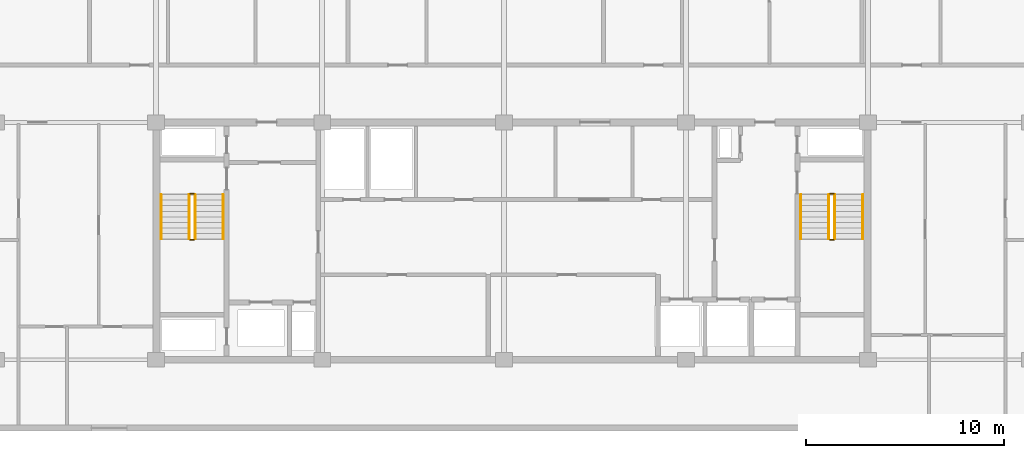
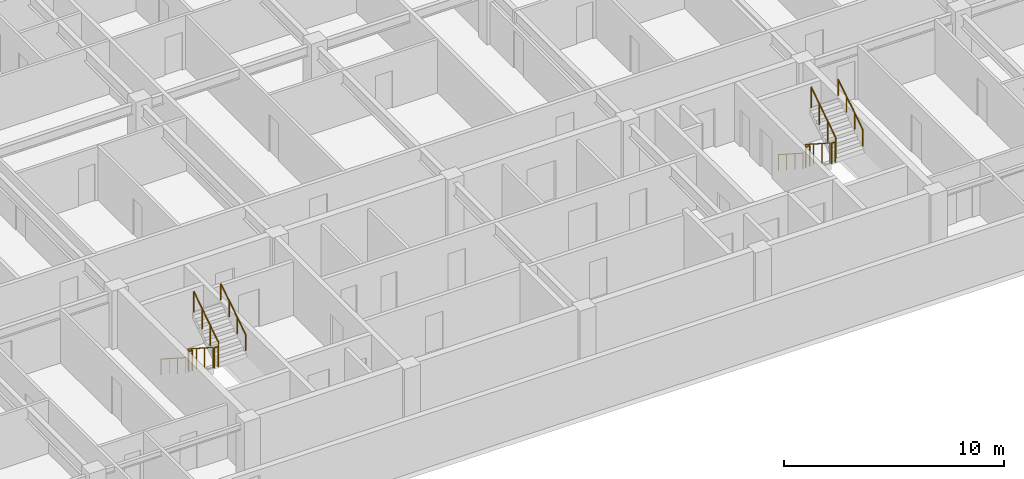
# One storey, part 41 of 42: 12 railings.
"""IFC4 building model written with IfcOpenShell, lengths in metres."""

from ifc_helpers import new_model, si_unit, direction, frame, origin, origin_2d, place, context, subcontext, project, spatial, circle, extrude, material, type_object, element, save


model = new_model("IFC4")

# Units and contexts
model_context = context("Model", 3, precision=1e-05, world=origin(), true_north=direction((0.0, 1.0)))
body_context = subcontext(model_context, "Body", "Model", "MODEL_VIEW")
ifc_project = project(units=[si_unit("LENGTHUNIT", "METRE"), si_unit("AREAUNIT", "SQUARE_METRE"), si_unit("VOLUMEUNIT", "CUBIC_METRE"), si_unit("PLANEANGLEUNIT", "RADIAN"), si_unit("MASSUNIT", "GRAM", prefix="KILO")], contexts=[model_context])

# Site, building, storey
site_placement = place(None, origin())
site = spatial("IfcSite", under=ifc_project, at=site_placement, CompositionType="ELEMENT")
building_placement = place(site_placement, origin())
building = spatial("IfcBuilding", under=site, at=building_placement, Name="Korimba Cascade Residences", CompositionType="ELEMENT")
storey_placement = place(building_placement, frame((0.0, 0.0, 207.60009765625)))
storey = spatial("IfcBuildingStorey", under=building, at=storey_placement, Name="L60", CompositionType="ELEMENT", Elevation=207.60009765625)

# Railings
ifc_material_1 = material(Name="Painted Steel Stairwell Guardrail", Category="steel")
railing_type_1 = type_object("IfcRailingType", Name="RLG-ST-GD1150", PredefinedType="GUARDRAIL", material=ifc_material_1)
railing_1_placement = place(storey_placement, frame((77.77001953125, 63.550048828125, 0.180419921875)))
element("IfcRailing", 1, at=railing_1_placement, inside=storey, type_object=railing_type_1, Name="L60 ST-W1 stair guard 1", PredefinedType="GUARDRAIL", context=body_context, shape_type="SweptSolid", body=[
    extrude(circle(Radius=0.02392578125, at=origin_2d()), frame((0.0, 0.0, 1.1259765625), z_axis=(0.0, -0.840394893359, 0.541974559565), x_axis=(1.0, 0.0, 0.0)), (0.0, 0.0, 1.0), 2.665283203125),
    extrude(circle(Radius=0.02099609375, at=origin_2d()), origin(), (0.0, 0.0, 1.0), 1.101806640625),
    extrude(circle(Radius=0.02099609375, at=origin_2d()), frame((0.0, -0.74658203125, 0.4814453125)), (0.0, 0.0, 1.0), 1.101806640625),
    extrude(circle(Radius=0.02099609375, at=origin_2d()), frame((0.0, -1.493408203125, 0.963134765625)), (0.0, 0.0, 1.0), 1.101806640625),
    extrude(circle(Radius=0.02099609375, at=origin_2d()), frame((0.0, -2.239990234375, 1.444580078125)), (0.0, 0.0, 1.0), 1.101806640625),
])
railing_2_placement = place(storey_placement, frame((77.820068359375, 61.260009765625, 1.625)))
element("IfcRailing", 2, at=railing_2_placement, inside=storey, type_object=railing_type_1, Name="L60 ST-W1 stair guard 2", PredefinedType="GUARDRAIL", context=body_context, shape_type="SweptSolid", body=[
    extrude(circle(Radius=0.02392578125, at=origin_2d()), frame((0.0, 0.0, 1.1259765625), z_axis=(1.0, 0.0, 0.0), x_axis=(0.0, 1.0, 0.0)), (0.0, 0.0, 1.0), 0.199951171875),
    extrude(circle(Radius=0.02099609375, at=origin_2d()), origin(), (0.0, 0.0, 1.0), 1.101806640625),
    extrude(circle(Radius=0.02099609375, at=origin_2d()), frame((0.199951171875, 0.0, 0.0)), (0.0, 0.0, 1.0), 1.101806640625),
])
railing_3_placement = place(storey_placement, frame((78.070068359375, 61.31005859375, 1.805419921875)))
element("IfcRailing", 3, at=railing_3_placement, inside=storey, type_object=railing_type_1, Name="L60 ST-W1 stair guard 3", PredefinedType="GUARDRAIL", context=body_context, shape_type="SweptSolid", body=[
    extrude(circle(Radius=0.02392578125, at=origin_2d()), frame((0.0, 0.0, 1.1259765625), z_axis=(0.0, 0.840394893359, 0.541974559565), x_axis=(-1.0, 0.0, 0.0)), (0.0, 0.0, 1.0), 2.665283203125),
    extrude(circle(Radius=0.02099609375, at=origin_2d()), origin(), (0.0, 0.0, 1.0), 1.101806640625),
    extrude(circle(Radius=0.02099609375, at=origin_2d()), frame((0.0, 0.74658203125, 0.4814453125)), (0.0, 0.0, 1.0), 1.101806640625),
    extrude(circle(Radius=0.02099609375, at=origin_2d()), frame((0.0, 1.493408203125, 0.963134765625)), (0.0, 0.0, 1.0), 1.101806640625),
    extrude(circle(Radius=0.02099609375, at=origin_2d()), frame((0.0, 2.239990234375, 1.444580078125)), (0.0, 0.0, 1.0), 1.101806640625),
])
railing_4_placement = place(storey_placement, frame((77.820068359375, 63.60009765625, 0.0)))
element("IfcRailing", 4, at=railing_4_placement, inside=storey, type_object=railing_type_1, Name="L60 ST-W1 stair guard 4", PredefinedType="GUARDRAIL", context=body_context, shape_type="SweptSolid", body=[
    extrude(circle(Radius=0.02392578125, at=origin_2d()), frame((0.0, 0.0, 1.1259765625), z_axis=(1.0, 0.0, 0.0), x_axis=(0.0, 1.0, 0.0)), (0.0, 0.0, 1.0), 0.199951171875),
    extrude(circle(Radius=0.02099609375, at=origin_2d()), origin(), (0.0, 0.0, 1.0), 1.101806640625),
    extrude(circle(Radius=0.02099609375, at=origin_2d()), frame((0.199951171875, 0.0, 0.0)), (0.0, 0.0, 1.0), 1.101806640625),
])
railing_5_placement = place(storey_placement, frame((110.1298828125, 63.550048828125, 0.180419921875)))
element("IfcRailing", 5, at=railing_5_placement, inside=storey, type_object=railing_type_1, Name="L60 ST-W2 stair guard 1", PredefinedType="GUARDRAIL", context=body_context, shape_type="SweptSolid", body=[
    extrude(circle(Radius=0.02392578125, at=origin_2d()), frame((0.0, 0.0, 1.1259765625), z_axis=(0.0, -0.840394893359, 0.541974559565), x_axis=(1.0, 0.0, 0.0)), (0.0, 0.0, 1.0), 2.665283203125),
    extrude(circle(Radius=0.02099609375, at=origin_2d()), origin(), (0.0, 0.0, 1.0), 1.101806640625),
    extrude(circle(Radius=0.02099609375, at=origin_2d()), frame((0.0, -0.74658203125, 0.4814453125)), (0.0, 0.0, 1.0), 1.101806640625),
    extrude(circle(Radius=0.02099609375, at=origin_2d()), frame((0.0, -1.493408203125, 0.963134765625)), (0.0, 0.0, 1.0), 1.101806640625),
    extrude(circle(Radius=0.02099609375, at=origin_2d()), frame((0.0, -2.239990234375, 1.444580078125)), (0.0, 0.0, 1.0), 1.101806640625),
])
railing_6_placement = place(storey_placement, frame((110.179931640625, 61.260009765625, 1.625)))
element("IfcRailing", 6, at=railing_6_placement, inside=storey, type_object=railing_type_1, Name="L60 ST-W2 stair guard 2", PredefinedType="GUARDRAIL", context=body_context, shape_type="SweptSolid", body=[
    extrude(circle(Radius=0.02392578125, at=origin_2d()), frame((0.0, 0.0, 1.1259765625), z_axis=(1.0, 0.0, 0.0), x_axis=(0.0, 1.0, 0.0)), (0.0, 0.0, 1.0), 0.199951171875),
    extrude(circle(Radius=0.02099609375, at=origin_2d()), origin(), (0.0, 0.0, 1.0), 1.101806640625),
    extrude(circle(Radius=0.02099609375, at=origin_2d()), frame((0.199951171875, 0.0, 0.0)), (0.0, 0.0, 1.0), 1.101806640625),
])
railing_7_placement = place(storey_placement, frame((110.429931640625, 61.31005859375, 1.805419921875)))
element("IfcRailing", 7, at=railing_7_placement, inside=storey, type_object=railing_type_1, Name="L60 ST-W2 stair guard 3", PredefinedType="GUARDRAIL", context=body_context, shape_type="SweptSolid", body=[
    extrude(circle(Radius=0.02392578125, at=origin_2d()), frame((0.0, 0.0, 1.1259765625), z_axis=(0.0, 0.840394893359, 0.541974559565), x_axis=(-1.0, 0.0, 0.0)), (0.0, 0.0, 1.0), 2.665283203125),
    extrude(circle(Radius=0.02099609375, at=origin_2d()), origin(), (0.0, 0.0, 1.0), 1.101806640625),
    extrude(circle(Radius=0.02099609375, at=origin_2d()), frame((0.0, 0.74658203125, 0.4814453125)), (0.0, 0.0, 1.0), 1.101806640625),
    extrude(circle(Radius=0.02099609375, at=origin_2d()), frame((0.0, 1.493408203125, 0.963134765625)), (0.0, 0.0, 1.0), 1.101806640625),
    extrude(circle(Radius=0.02099609375, at=origin_2d()), frame((0.0, 2.239990234375, 1.444580078125)), (0.0, 0.0, 1.0), 1.101806640625),
])
railing_8_placement = place(storey_placement, frame((110.179931640625, 63.60009765625, 0.0)))
element("IfcRailing", 8, at=railing_8_placement, inside=storey, type_object=railing_type_1, Name="L60 ST-W2 stair guard 4", PredefinedType="GUARDRAIL", context=body_context, shape_type="SweptSolid", body=[
    extrude(circle(Radius=0.02392578125, at=origin_2d()), frame((0.0, 0.0, 1.1259765625), z_axis=(1.0, 0.0, 0.0), x_axis=(0.0, 1.0, 0.0)), (0.0, 0.0, 1.0), 0.199951171875),
    extrude(circle(Radius=0.02099609375, at=origin_2d()), origin(), (0.0, 0.0, 1.0), 1.101806640625),
    extrude(circle(Radius=0.02099609375, at=origin_2d()), frame((0.199951171875, 0.0, 0.0)), (0.0, 0.0, 1.0), 1.101806640625),
])
ifc_material_2 = material(Name="Brushed Stainless Steel Handrail", Category="steel")
railing_type_2 = type_object("IfcRailingType", Name="RLG-ST-HR900", PredefinedType="HANDRAIL", material=ifc_material_2)
railing_9_placement = place(storey_placement, frame((76.35009765625, 63.550048828125, 0.36474609375)))
element("IfcRailing", 9, at=railing_9_placement, inside=storey, type_object=railing_type_2, Name="L60 ST-W1 stair handrail 1", PredefinedType="HANDRAIL", context=body_context, shape_type="SweptSolid", body=[
    extrude(circle(Radius=0.02392578125, at=origin_2d()), frame((0.0, 0.0, 0.8759765625), z_axis=(0.0, -0.840394893359, 0.541974559565), x_axis=(1.0, 0.0, 0.0)), (0.0, 0.0, 1.0), 2.665283203125),
    extrude(circle(Radius=0.02099609375, at=origin_2d()), origin(), (0.0, 0.0, 1.0), 0.851806640625),
    extrude(circle(Radius=0.02099609375, at=origin_2d()), frame((0.0, -0.74658203125, 0.4814453125)), (0.0, 0.0, 1.0), 0.851806640625),
    extrude(circle(Radius=0.02099609375, at=origin_2d()), frame((0.0, -1.493408203125, 0.963134765625)), (0.0, 0.0, 1.0), 0.851806640625),
    extrude(circle(Radius=0.02099609375, at=origin_2d()), frame((0.0, -2.239990234375, 1.444580078125)), (0.0, 0.0, 1.0), 0.851806640625),
])
railing_10_placement = place(storey_placement, frame((79.489990234375, 61.31005859375, 1.98974609375)))
element("IfcRailing", 10, at=railing_10_placement, inside=storey, type_object=railing_type_2, Name="L60 ST-W1 stair handrail 2", PredefinedType="HANDRAIL", context=body_context, shape_type="SweptSolid", body=[
    extrude(circle(Radius=0.02392578125, at=origin_2d()), frame((0.0, 0.0, 0.8759765625), z_axis=(0.0, 0.840394893359, 0.541974559565), x_axis=(-1.0, 0.0, 0.0)), (0.0, 0.0, 1.0), 2.665283203125),
    extrude(circle(Radius=0.02099609375, at=origin_2d()), origin(), (0.0, 0.0, 1.0), 0.851806640625),
    extrude(circle(Radius=0.02099609375, at=origin_2d()), frame((0.0, 0.74658203125, 0.4814453125)), (0.0, 0.0, 1.0), 0.851806640625),
    extrude(circle(Radius=0.02099609375, at=origin_2d()), frame((0.0, 1.493408203125, 0.963134765625)), (0.0, 0.0, 1.0), 0.851806640625),
    extrude(circle(Radius=0.02099609375, at=origin_2d()), frame((0.0, 2.239990234375, 1.444580078125)), (0.0, 0.0, 1.0), 0.851806640625),
])
railing_11_placement = place(storey_placement, frame((108.7099609375, 63.550048828125, 0.36474609375)))
element("IfcRailing", 11, at=railing_11_placement, inside=storey, type_object=railing_type_2, Name="L60 ST-W2 stair handrail 1", PredefinedType="HANDRAIL", context=body_context, shape_type="SweptSolid", body=[
    extrude(circle(Radius=0.02392578125, at=origin_2d()), frame((0.0, 0.0, 0.8759765625), z_axis=(0.0, -0.840394893359, 0.541974559565), x_axis=(1.0, 0.0, 0.0)), (0.0, 0.0, 1.0), 2.665283203125),
    extrude(circle(Radius=0.02099609375, at=origin_2d()), origin(), (0.0, 0.0, 1.0), 0.851806640625),
    extrude(circle(Radius=0.02099609375, at=origin_2d()), frame((0.0, -0.74658203125, 0.4814453125)), (0.0, 0.0, 1.0), 0.851806640625),
    extrude(circle(Radius=0.02099609375, at=origin_2d()), frame((0.0, -1.493408203125, 0.963134765625)), (0.0, 0.0, 1.0), 0.851806640625),
    extrude(circle(Radius=0.02099609375, at=origin_2d()), frame((0.0, -2.239990234375, 1.444580078125)), (0.0, 0.0, 1.0), 0.851806640625),
])
railing_12_placement = place(storey_placement, frame((111.85009765625, 61.31005859375, 1.98974609375)))
element("IfcRailing", 12, at=railing_12_placement, inside=storey, type_object=railing_type_2, Name="L60 ST-W2 stair handrail 2", PredefinedType="HANDRAIL", context=body_context, shape_type="SweptSolid", body=[
    extrude(circle(Radius=0.02392578125, at=origin_2d()), frame((0.0, 0.0, 0.8759765625), z_axis=(0.0, 0.840394893359, 0.541974559565), x_axis=(-1.0, 0.0, 0.0)), (0.0, 0.0, 1.0), 2.665283203125),
    extrude(circle(Radius=0.02099609375, at=origin_2d()), origin(), (0.0, 0.0, 1.0), 0.851806640625),
    extrude(circle(Radius=0.02099609375, at=origin_2d()), frame((0.0, 0.74658203125, 0.4814453125)), (0.0, 0.0, 1.0), 0.851806640625),
    extrude(circle(Radius=0.02099609375, at=origin_2d()), frame((0.0, 1.493408203125, 0.963134765625)), (0.0, 0.0, 1.0), 0.851806640625),
    extrude(circle(Radius=0.02099609375, at=origin_2d()), frame((0.0, 2.239990234375, 1.444580078125)), (0.0, 0.0, 1.0), 0.851806640625),
])

save(model, "model.ifc")
